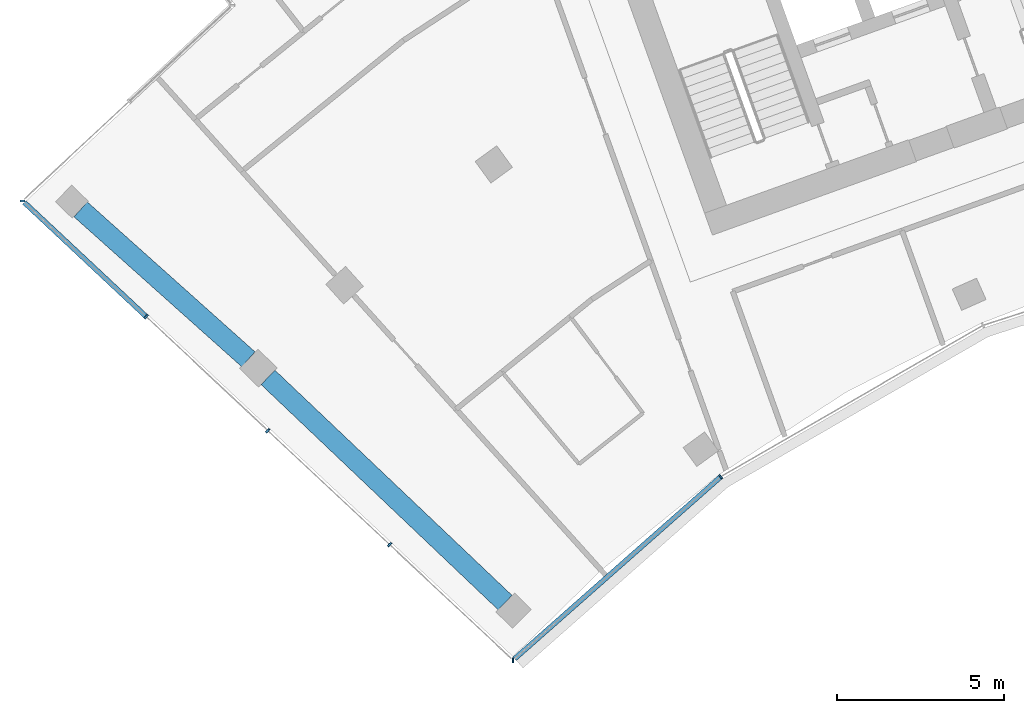
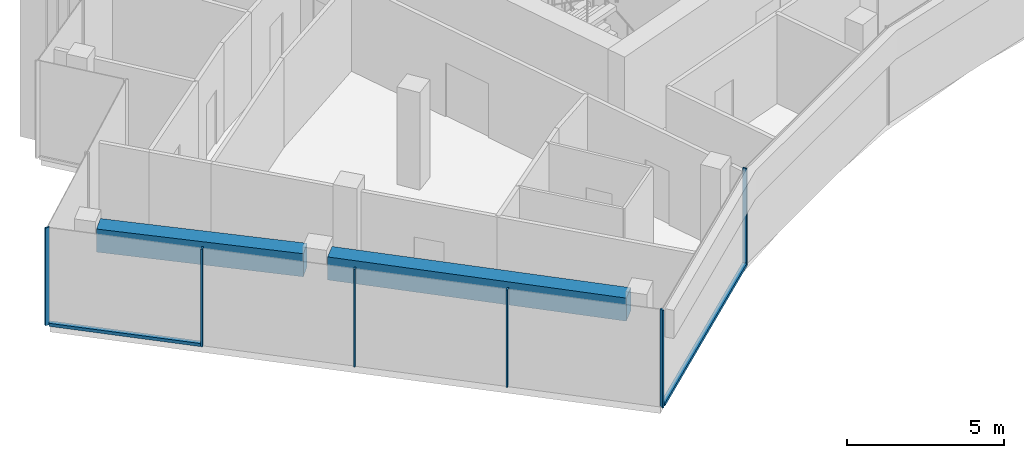
# One storey, part 2 of 18: 8 members, 2 beams, 2 elements without a shape of their own.
"""IFC4 building model written with IfcOpenShell, lengths in metres."""

import ifcopenshell
import ifcopenshell.guid

model = None  # the IFC model being written
_history = None  # IfcOwnerHistory: only IFC2X3 demands one
_inside = {}  # id of a spatial element -> (the spatial element, [elements in it])
_under = {}  # id of a project, library or spatial element -> (it, [spatial elements below it])
_declared = {}  # id of a project -> (the project, [libraries it declares])
_typed = {}  # id of a type object -> (the type object, [elements of that type])
_made_of = {}  # id of a material, layer set ... -> (it, [elements and type objects made of it])


def new_model(schema):
    """Start an empty IFC model of exactly this schema.

    Asked for "IFC4X3", IfcOpenShell would pick the latest addendum, in which some entities
    have other attributes; the version numbers below select the first issue.
    IFC2X3 requires an IfcOwnerHistory on every rooted entity: one is made here for all.
    """
    global model, _history
    if schema == "IFC4X3":
        model = ifcopenshell.file(schema_version=(4, 3, 0, 0))
    else:
        model = ifcopenshell.file(schema=schema)
    _inside.clear()
    _under.clear()
    _declared.clear()
    _typed.clear()
    _made_of.clear()
    _history = None
    if model.schema == "IFC2X3":
        org = make("IfcOrganization", Name="unknown")
        user = make(
            "IfcPersonAndOrganization",
            ThePerson=make("IfcPerson", FamilyName="unknown"),
            TheOrganization=org,
        )
        app = make(
            "IfcApplication",
            ApplicationDeveloper=org,
            Version="unknown",
            ApplicationFullName="unknown",
            ApplicationIdentifier="unknown",
        )
        _history = make(
            "IfcOwnerHistory",
            OwningUser=user,
            OwningApplication=app,
            ChangeAction="ADDED",
            CreationDate=0,
        )
    return model


def make(cls, **values):
    """One entity of the class cls with the attributes given. An attribute that is None is left unset."""
    return model.create_entity(
        cls, **{name: value for name, value in values.items() if value is not None}
    )


def rooted(cls, **values):
    """An entity with a GlobalId (a new one), such as an element, a storey or a relation."""
    return make(cls, GlobalId=ifcopenshell.guid.new(), OwnerHistory=_history, **values)


def si_unit(unit_type, name, prefix=None):
    """IfcSIUnit, for example si_unit("LENGTHUNIT", "METRE", prefix="MILLI")."""
    return make("IfcSIUnit", UnitType=unit_type, Prefix=prefix, Name=name)


def assignment(units):
    """IfcUnitAssignment: the units of a project."""
    return None if units is None else make("IfcUnitAssignment", Units=units)


def point(xyz):
    """IfcCartesianPoint."""
    return None if xyz is None else make("IfcCartesianPoint", Coordinates=xyz)


def direction(xyz):
    """IfcDirection."""
    return None if xyz is None else make("IfcDirection", DirectionRatios=xyz)


def frame(location, z_axis=None, x_axis=None):
    """IfcAxis2Placement3D, a coordinate frame: its origin and axes. An axis left out is left unset."""
    return make(
        "IfcAxis2Placement3D",
        Location=point(location),
        Axis=direction(z_axis),
        RefDirection=direction(x_axis),
    )


def frame_2d(location, x_axis=None):
    """IfcAxis2Placement2D, a coordinate frame in the plane: its origin and x axis."""
    return make(
        "IfcAxis2Placement2D", Location=point(location), RefDirection=direction(x_axis)
    )


def origin():
    """The frame at (0, 0, 0) with its axes left unset."""
    return frame((0.0, 0.0, 0.0))


def origin_2d():
    """The frame at (0, 0) in the plane with its x axis left unset."""
    return frame_2d((0.0, 0.0))


def place(relative_to, where):
    """IfcLocalPlacement: puts the frame where relative to a parent placement (None: the world)."""
    return make(
        "IfcLocalPlacement", PlacementRelTo=relative_to, RelativePlacement=where
    )


def context(
    kind, dimensions, precision=None, world=None, true_north=None, identifier=None
):
    """IfcGeometricRepresentationContext, for example the 3D "Model" context."""
    return make(
        "IfcGeometricRepresentationContext",
        ContextIdentifier=identifier,
        ContextType=kind,
        CoordinateSpaceDimension=dimensions,
        Precision=precision,
        WorldCoordinateSystem=world,
        TrueNorth=true_north,
    )


def subcontext(parent, identifier, kind, view, scale=None):
    """IfcGeometricRepresentationSubContext, for example "Body" below "Model"."""
    return make(
        "IfcGeometricRepresentationSubContext",
        ContextIdentifier=identifier,
        ContextType=kind,
        ParentContext=parent,
        TargetScale=scale,
        TargetView=view,
    )


def project(units=None, contexts=None):
    """IfcProject with its units and contexts."""
    return rooted(
        "IfcProject",
        Name="project",
        RepresentationContexts=contexts,
        UnitsInContext=assignment(units),
    )


def spatial(cls, under=None, at=None, **own):
    """A site, building, storey or space (cls), placed at a placement, below another one or the project."""
    s = rooted(cls, ObjectPlacement=at, **own)
    if under is not None:
        _under.setdefault(under.id(), (under, []))[1].append(s)
    return s


def profile(cls, at=None, kind="AREA", **sizes):
    """A parametric profile (cls). Its sizes go by their IFC names, for example OverallWidth=200.0."""
    return make(cls, ProfileType=kind, Position=at, **sizes)


def rectangle(**sizes):
    """IfcRectangleProfileDef."""
    return profile("IfcRectangleProfileDef", **sizes)


def extrude(swept, where, along, depth):
    """IfcExtrudedAreaSolid: the profile swept, set in the frame where, extruded along a direction by depth."""
    return make(
        "IfcExtrudedAreaSolid",
        SweptArea=swept,
        Position=where,
        ExtrudedDirection=direction(along),
        Depth=depth,
    )


def shape(context_of_items, identifier, shape_type, items):
    """IfcShapeRepresentation: the items that make up one representation, for example the "Body"."""
    return make(
        "IfcShapeRepresentation",
        ContextOfItems=context_of_items,
        RepresentationIdentifier=identifier,
        RepresentationType=shape_type,
        Items=items,
    )


def material(Name=None, Category=None):
    """IfcMaterial."""
    return make("IfcMaterial", Name=Name, Category=Category)


def layer(
    of_material, thickness, ventilated=None, Name=None, Category=None, Priority=None
):
    """IfcMaterialLayer: one layer of a wall or slab, of a material (None: an air gap)."""
    return make(
        "IfcMaterialLayer",
        Material=of_material,
        LayerThickness=thickness,
        IsVentilated=ventilated,
        Name=Name,
        Category=Category,
        Priority=Priority,
    )


def layer_set(layers, Name=None):
    """IfcMaterialLayerSet."""
    return make("IfcMaterialLayerSet", MaterialLayers=layers, LayerSetName=Name)


def material_profile(
    of_material, cross_section, Name=None, Category=None, Priority=None
):
    """IfcMaterialProfile: a cross section and its material."""
    return make(
        "IfcMaterialProfile",
        Name=Name,
        Material=of_material,
        Profile=cross_section,
        Priority=Priority,
        Category=Category,
    )


def profile_set(profiles, Name=None, composite=None):
    """IfcMaterialProfileSet."""
    return make(
        "IfcMaterialProfileSet",
        Name=Name,
        MaterialProfiles=profiles,
        CompositeProfile=composite,
    )


def made_of(thing, what):
    """Note that an element or type object is made of a material, layer set ...; save() writes the relation."""
    if what is not None:
        _made_of.setdefault(what.id(), (what, []))[1].append(thing)
    return thing


def type_object(cls, material=None, **own):
    """A type object (cls), such as IfcWallType, which elements share."""
    return made_of(rooted(cls, **own), material)


def element(
    cls,
    number,
    at=None,
    inside=None,
    cuts=None,
    type_object=None,
    material=None,
    context=None,
    identifier="Body",
    shape_type=None,
    held_by="IfcProductDefinitionShape",
    body=None,
    shapes=None,
    **own,
):
    """One element of the class cls, such as IfcWall. Its Tag is "e" and its number.

    at: its placement. inside: the storey or other place that contains it. cuts: it is an
    opening in that element (IfcRelVoidsElement). A single representation is given by context,
    identifier, shape_type and body (its items); several are given by shapes. held_by: the class
    of the entity that holds the representations. save() writes the other relations.
    """
    e = rooted(cls, Tag="e%d" % number, ObjectPlacement=at, **own)
    if body is not None:
        shapes = [shape(context, identifier, shape_type, body)]
    if shapes is not None:
        e.Representation = make(held_by, Representations=shapes)
    if inside is not None:
        _inside.setdefault(inside.id(), (inside, []))[1].append(e)
    if cuts is not None:
        rooted(
            "IfcRelVoidsElement", RelatingBuildingElement=cuts, RelatedOpeningElement=e
        )
    if type_object is not None:
        _typed.setdefault(type_object.id(), (type_object, []))[1].append(e)
    return made_of(e, material)


def aggregate(whole, parts):
    """IfcRelAggregates: a whole, such as a stair, and the parts it consists of."""
    return rooted("IfcRelAggregates", RelatingObject=whole, RelatedObjects=parts)


def save(model, path):
    """Write the relations noted so far, then the file.

    IfcRelAggregates (storeys below a building ...), IfcRelContainedInSpatialStructure (elements
    in a storey), IfcRelDefinesByType, IfcRelAssociatesMaterial and IfcRelDeclares: one each for
    every whole, place, type object, material and project.
    """
    for whole, parts in _under.values():
        aggregate(whole, parts)
    for where, things in _inside.values():
        rooted(
            "IfcRelContainedInSpatialStructure",
            RelatedElements=things,
            RelatingStructure=where,
        )
    for kind, things in _typed.values():
        rooted("IfcRelDefinesByType", RelatedObjects=things, RelatingType=kind)
    for what, things in _made_of.values():
        rooted("IfcRelAssociatesMaterial", RelatedObjects=things, RelatingMaterial=what)
    for by, libraries in _declared.values():
        rooted("IfcRelDeclares", RelatingContext=by, RelatedDefinitions=libraries)
    model.write(path)


model = new_model("IFC4")

# Units and contexts
model_context = context("Model", 3, precision=1e-05, world=origin(), true_north=direction((0.0, 1.0)))
body_context = subcontext(model_context, "Body", "Model", "MODEL_VIEW")
ifc_project = project(units=[si_unit("LENGTHUNIT", "METRE"), si_unit("AREAUNIT", "SQUARE_METRE"), si_unit("VOLUMEUNIT", "CUBIC_METRE"), si_unit("PLANEANGLEUNIT", "RADIAN"), si_unit("MASSUNIT", "GRAM", prefix="KILO")], contexts=[model_context])

# Site, building, storey
site_placement = place(None, origin())
site = spatial("IfcSite", under=ifc_project, at=site_placement, CompositionType="ELEMENT")
building_placement = place(site_placement, origin())
building = spatial("IfcBuilding", under=site, at=building_placement, Name="Stone Belt Terrace Tower", CompositionType="ELEMENT")
storey_placement = place(building_placement, frame((0.0, 0.0, 269.39990234375)))
storey = spatial("IfcBuildingStorey", under=building, at=storey_placement, Name="L65", CompositionType="ELEMENT", Elevation=269.39990234375)

# Curtain wall, members
ifc_material_1 = material(Name="Aluminium 6063-T6 anodised frame", Category="aluminium")
ifc_layer_1 = layer(ifc_material_1, 0.14990234375)
ifc_layer_set_1 = layer_set([ifc_layer_1], Name="CW-B unitised concave-face curtain wall")
curtain_wall_type_1 = type_object("IfcCurtainWallType", Name="CW-B unitised concave-face curtain wall", PredefinedType="NOTDEFINED", material=ifc_layer_set_1)
curtain_wall_1_placement = place(storey_placement, origin())
curtain_wall_1 = element("IfcCurtainWall", 1, at=curtain_wall_1_placement, inside=storey, type_object=curtain_wall_type_1, Name="CW-B concave face L65", PredefinedType="NOTDEFINED")
ifc_material_profile_1 = material_profile(ifc_material_1, rectangle(XDim=0.14990234375, YDim=0.050048828125, at=origin_2d()), Name="Aluminium 6063-T6 50x150")
ifc_profile_set_1 = profile_set([ifc_material_profile_1], Name="Aluminium 6063-T6 anodised frame")
member_type_1 = type_object("IfcMemberType", Name="CW-B mullion 50 x 150", PredefinedType="MULLION", material=ifc_profile_set_1)
member_1_placement = place(storey_placement, frame((-31.75244140625, 29.633056640625, 0.0), z_axis=(0.0, 0.0, 1.0), x_axis=(0.014681639593, 0.999892218921, 0.0)))
member_1 = element("IfcMember", 2, at=member_1_placement, type_object=member_type_1, Name="CW-B mullion 1", PredefinedType="MULLION", context=body_context, shape_type="SweptSolid", body=[
    extrude(rectangle(XDim=0.14990234375, YDim=0.050048828125, at=origin_2d()), origin(), (0.0, 0.0, 1.0), 3.800048828125),
])
member_2_placement = place(storey_placement, frame((-25.524658203125, 35.131103515625, 0.0), z_axis=(0.0, 0.0, 1.0), x_axis=(-0.583818854632, 0.811883947973, 0.0)))
member_2 = element("IfcMember", 3, at=member_2_placement, type_object=member_type_1, Name="CW-B mullion 2", PredefinedType="MULLION", context=body_context, shape_type="SweptSolid", body=[
    extrude(rectangle(XDim=0.14990234375, YDim=0.050048828125, at=origin_2d()), origin(), (0.0, 0.0, 1.0), 3.800048828125),
])
ifc_material_profile_2 = material_profile(ifc_material_1, rectangle(XDim=0.14990234375, YDim=0.1201171875, at=origin_2d()), Name="Aluminium 6063-T6 150x120")
ifc_profile_set_2 = profile_set([ifc_material_profile_2], Name="Aluminium 6063-T6 anodised frame")
member_type_2 = type_object("IfcMemberType", Name="CW-B transom 120 x 150", PredefinedType="USERDEFINED", material=ifc_profile_set_2)
member_3_placement = place(storey_placement, frame((-31.70068359375, 29.6787109375, 0.06005859375), z_axis=(0.749668527307, 0.661813492735, 0.0), x_axis=(-0.661813492735, 0.749668527307, 0.0)))
member_3 = element("IfcMember", 4, at=member_3_placement, type_object=member_type_2, Name="CW-B transom 1.1", ObjectType="TRANSOM", PredefinedType="USERDEFINED", context=body_context, shape_type="SweptSolid", body=[
    extrude(rectangle(XDim=0.14990234375, YDim=0.1201171875, at=origin_2d()), origin(), (0.0, 0.0, 1.0), 8.2060546875),
])
aggregate(curtain_wall_1, [member_1, member_2, member_3])

ifc_layer_2 = layer(ifc_material_1, 0.14990234375)
ifc_layer_set_2 = layer_set([ifc_layer_2], Name="CW-C stick curtain wall, horn ends and notches")
curtain_wall_type_2 = type_object("IfcCurtainWallType", Name="CW-C stick curtain wall, horn ends and notches", PredefinedType="NOTDEFINED", material=ifc_layer_set_2)
curtain_wall_2_placement = place(storey_placement, origin())
curtain_wall_2 = element("IfcCurtainWall", 5, at=curtain_wall_2_placement, inside=storey, type_object=curtain_wall_type_2, Name="CW-C end face L65", PredefinedType="NOTDEFINED")
ifc_material_profile_3 = material_profile(ifc_material_1, rectangle(XDim=0.14990234375, YDim=0.06005859375, at=origin_2d()), Name="Aluminium 6063-T6 60x150")
ifc_profile_set_3 = profile_set([ifc_material_profile_3], Name="Aluminium 6063-T6 anodised frame")
member_type_3 = type_object("IfcMemberType", Name="CW-C mullion 60 x 150", PredefinedType="MULLION", material=ifc_profile_set_3)
member_4_placement = place(storey_placement, frame((-46.458740234375, 43.405517578125, 0.0), z_axis=(0.0, 0.0, 1.0), x_axis=(0.999999447771, -0.00105093149, 0.0)))
member_4 = element("IfcMember", 6, at=member_4_placement, type_object=member_type_3, Name="CW-C mullion 1", PredefinedType="MULLION", context=body_context, shape_type="SweptSolid", body=[
    extrude(rectangle(XDim=0.14990234375, YDim=0.06005859375, at=origin_2d()), origin(), (0.0, 0.0, 1.0), 3.800048828125),
])
member_5_placement = place(storey_placement, frame((-42.750732421875, 39.932861328125, 0.0), z_axis=(0.0, 0.0, 1.0), x_axis=(0.683549434973, 0.729904219708, 0.0)))
member_5 = element("IfcMember", 7, at=member_5_placement, type_object=member_type_3, Name="CW-C mullion 2", PredefinedType="MULLION", context=body_context, shape_type="SweptSolid", body=[
    extrude(rectangle(XDim=0.14990234375, YDim=0.06005859375, at=origin_2d()), origin(), (0.0, 0.0, 1.0), 3.800048828125),
])
member_6_placement = place(storey_placement, frame((-39.10107421875, 36.51513671875, 0.0), z_axis=(0.0, 0.0, 1.0), x_axis=(0.683549434973, 0.729904219708, 0.0)))
member_6 = element("IfcMember", 8, at=member_6_placement, type_object=member_type_3, Name="CW-C mullion 3", PredefinedType="MULLION", context=body_context, shape_type="SweptSolid", body=[
    extrude(rectangle(XDim=0.14990234375, YDim=0.06005859375, at=origin_2d()), origin(), (0.0, 0.0, 1.0), 3.800048828125),
])
member_7_placement = place(storey_placement, frame((-35.45166015625, 33.097412109375, 0.0), z_axis=(0.0, 0.0, 1.0), x_axis=(0.683549434973, 0.729904219708, 0.0)))
member_7 = element("IfcMember", 9, at=member_7_placement, type_object=member_type_3, Name="CW-C mullion 4", PredefinedType="MULLION", context=body_context, shape_type="SweptSolid", body=[
    extrude(rectangle(XDim=0.14990234375, YDim=0.06005859375, at=origin_2d()), origin(), (0.0, 0.0, 1.0), 3.800048828125),
])
ifc_material_profile_4 = material_profile(ifc_material_1, rectangle(XDim=0.14990234375, YDim=0.1201171875, at=origin_2d()), Name="Aluminium 6063-T6 150x120")
ifc_profile_set_4 = profile_set([ifc_material_profile_4], Name="Aluminium 6063-T6 anodised frame")
member_type_4 = type_object("IfcMemberType", Name="CW-C transom 120 x 150", PredefinedType="USERDEFINED", material=ifc_profile_set_4)
member_8_placement = place(storey_placement, frame((-46.40380859375, 43.35400390625, 0.06005859375), z_axis=(0.729913558916, -0.683539462292, 0.0), x_axis=(0.683539462292, 0.729913558916, 0.0)))
member_8 = element("IfcMember", 10, at=member_8_placement, type_object=member_type_4, Name="CW-C transom 1.1", ObjectType="TRANSOM", PredefinedType="USERDEFINED", context=body_context, shape_type="SweptSolid", body=[
    extrude(rectangle(XDim=0.14990234375, YDim=0.1201171875, at=origin_2d()), origin(), (0.0, 0.0, 1.0), 4.97509765625),
])
aggregate(curtain_wall_2, [member_4, member_5, member_6, member_7, member_8])

# Beams
ifc_material_2 = material(Name="Concrete B60", Category="concrete")
ifc_material_profile_5 = material_profile(ifc_material_2, rectangle(XDim=0.60009765625, YDim=0.89990234375, at=origin_2d()), Name="RC 600x900")
ifc_profile_set_5 = profile_set([ifc_material_profile_5], Name="Concrete B60")
beam_type = type_object("IfcBeamType", Name="Edge beam RC 600x900 B60", PredefinedType="SPANDREL", material=ifc_profile_set_5)
beam_1_placement = place(storey_placement, frame((-31.98876953125, 31.35791015625, 3.030029296875), z_axis=(-0.72502367576, 0.688723942946, 0.0), x_axis=(-0.688723942946, -0.72502367576, 0.0)))
element("IfcBeam", 11, at=beam_1_placement, inside=storey, type_object=beam_type, Name="Edge beam L65 A P to Q", PredefinedType="SPANDREL", context=body_context, shape_type="SweptSolid", body=[
    extrude(rectangle(XDim=0.60009765625, YDim=0.89990234375, at=origin_2d()), origin(), (0.0, 0.0, 1.0), 9.80615234375),
])
beam_2_placement = place(storey_placement, frame((-39.68701171875, 38.65380859375, 3.030029296875), z_axis=(-0.745651125692, 0.666336550666, 0.0), x_axis=(-0.666336550666, -0.745651125692, 0.0)))
element("IfcBeam", 12, at=beam_2_placement, inside=storey, type_object=beam_type, Name="Edge beam L65 A Q to R", PredefinedType="SPANDREL", context=body_context, shape_type="SweptSolid", body=[
    extrude(rectangle(XDim=0.60009765625, YDim=0.89990234375, at=origin_2d()), origin(), (0.0, 0.0, 1.0), 6.744140625),
])

save(model, "model.ifc")
